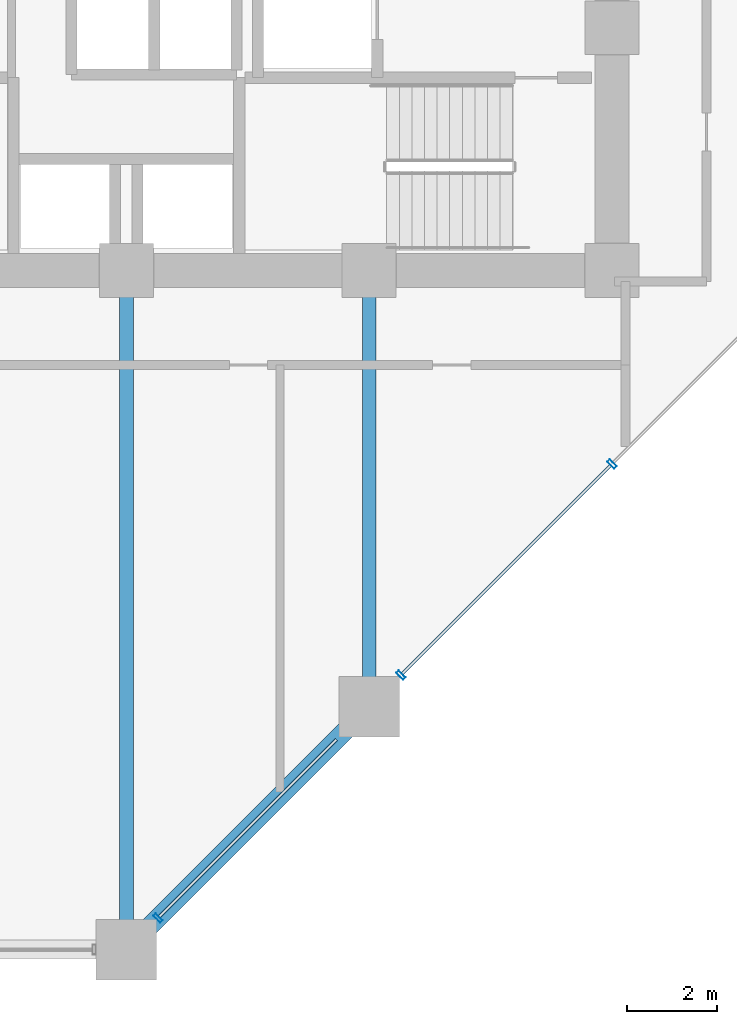
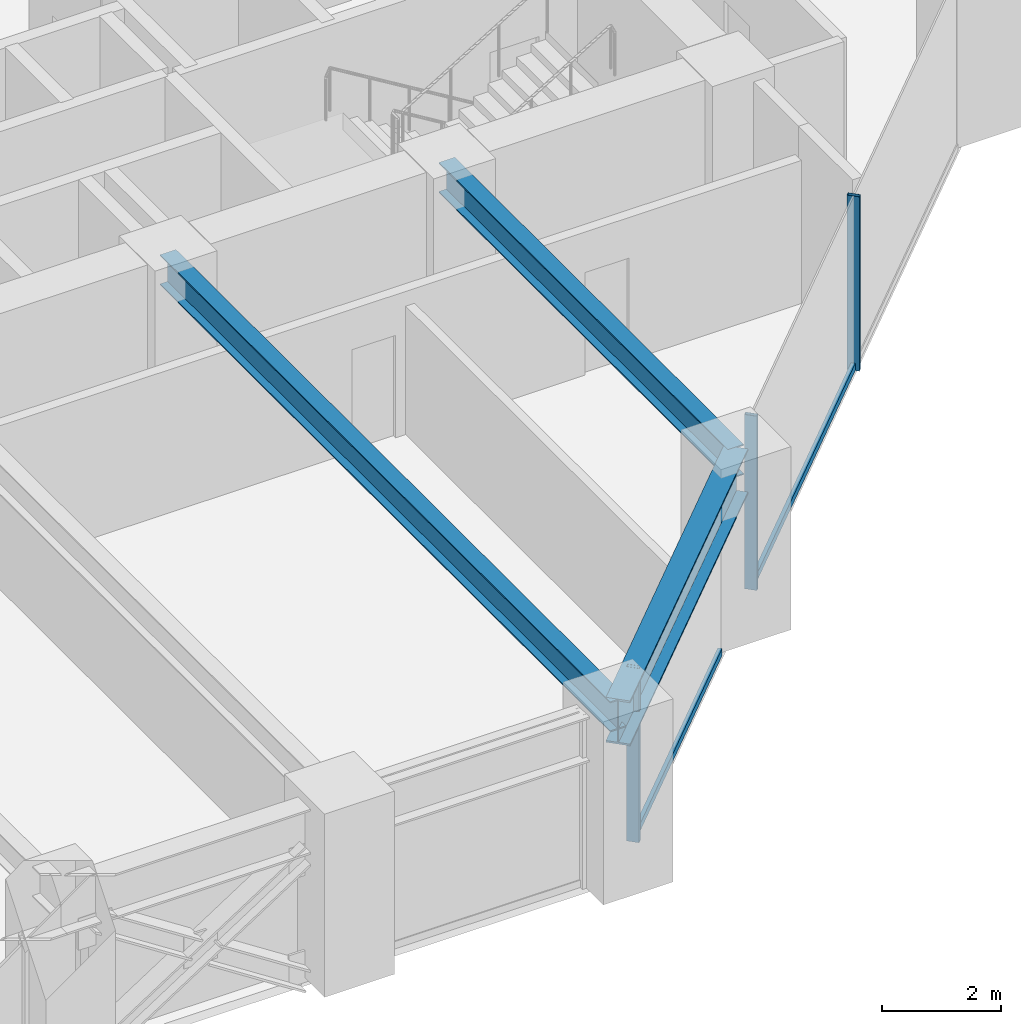
# One storey, part 7 of 24: 5 members, 3 beams, 1 element without a shape of its own.
"""IFC4 building model written with IfcOpenShell, lengths in metres."""

import ifcopenshell
import ifcopenshell.guid

model = None  # the IFC model being written
_history = None  # IfcOwnerHistory: only IFC2X3 demands one
_inside = {}  # id of a spatial element -> (the spatial element, [elements in it])
_under = {}  # id of a project, library or spatial element -> (it, [spatial elements below it])
_declared = {}  # id of a project -> (the project, [libraries it declares])
_typed = {}  # id of a type object -> (the type object, [elements of that type])
_made_of = {}  # id of a material, layer set ... -> (it, [elements and type objects made of it])


def new_model(schema):
    """Start an empty IFC model of exactly this schema.

    Asked for "IFC4X3", IfcOpenShell would pick the latest addendum, in which some entities
    have other attributes; the version numbers below select the first issue.
    IFC2X3 requires an IfcOwnerHistory on every rooted entity: one is made here for all.
    """
    global model, _history
    if schema == "IFC4X3":
        model = ifcopenshell.file(schema_version=(4, 3, 0, 0))
    else:
        model = ifcopenshell.file(schema=schema)
    _inside.clear()
    _under.clear()
    _declared.clear()
    _typed.clear()
    _made_of.clear()
    _history = None
    if model.schema == "IFC2X3":
        org = make("IfcOrganization", Name="unknown")
        user = make(
            "IfcPersonAndOrganization",
            ThePerson=make("IfcPerson", FamilyName="unknown"),
            TheOrganization=org,
        )
        app = make(
            "IfcApplication",
            ApplicationDeveloper=org,
            Version="unknown",
            ApplicationFullName="unknown",
            ApplicationIdentifier="unknown",
        )
        _history = make(
            "IfcOwnerHistory",
            OwningUser=user,
            OwningApplication=app,
            ChangeAction="ADDED",
            CreationDate=0,
        )
    return model


def make(cls, **values):
    """One entity of the class cls with the attributes given. An attribute that is None is left unset."""
    return model.create_entity(
        cls, **{name: value for name, value in values.items() if value is not None}
    )


def rooted(cls, **values):
    """An entity with a GlobalId (a new one), such as an element, a storey or a relation."""
    return make(cls, GlobalId=ifcopenshell.guid.new(), OwnerHistory=_history, **values)


def si_unit(unit_type, name, prefix=None):
    """IfcSIUnit, for example si_unit("LENGTHUNIT", "METRE", prefix="MILLI")."""
    return make("IfcSIUnit", UnitType=unit_type, Prefix=prefix, Name=name)


def assignment(units):
    """IfcUnitAssignment: the units of a project."""
    return None if units is None else make("IfcUnitAssignment", Units=units)


def point(xyz):
    """IfcCartesianPoint."""
    return None if xyz is None else make("IfcCartesianPoint", Coordinates=xyz)


def direction(xyz):
    """IfcDirection."""
    return None if xyz is None else make("IfcDirection", DirectionRatios=xyz)


def frame(location, z_axis=None, x_axis=None):
    """IfcAxis2Placement3D, a coordinate frame: its origin and axes. An axis left out is left unset."""
    return make(
        "IfcAxis2Placement3D",
        Location=point(location),
        Axis=direction(z_axis),
        RefDirection=direction(x_axis),
    )


def frame_2d(location, x_axis=None):
    """IfcAxis2Placement2D, a coordinate frame in the plane: its origin and x axis."""
    return make(
        "IfcAxis2Placement2D", Location=point(location), RefDirection=direction(x_axis)
    )


def origin():
    """The frame at (0, 0, 0) with its axes left unset."""
    return frame((0.0, 0.0, 0.0))


def origin_2d():
    """The frame at (0, 0) in the plane with its x axis left unset."""
    return frame_2d((0.0, 0.0))


def place(relative_to, where):
    """IfcLocalPlacement: puts the frame where relative to a parent placement (None: the world)."""
    return make(
        "IfcLocalPlacement", PlacementRelTo=relative_to, RelativePlacement=where
    )


def context(
    kind, dimensions, precision=None, world=None, true_north=None, identifier=None
):
    """IfcGeometricRepresentationContext, for example the 3D "Model" context."""
    return make(
        "IfcGeometricRepresentationContext",
        ContextIdentifier=identifier,
        ContextType=kind,
        CoordinateSpaceDimension=dimensions,
        Precision=precision,
        WorldCoordinateSystem=world,
        TrueNorth=true_north,
    )


def subcontext(parent, identifier, kind, view, scale=None):
    """IfcGeometricRepresentationSubContext, for example "Body" below "Model"."""
    return make(
        "IfcGeometricRepresentationSubContext",
        ContextIdentifier=identifier,
        ContextType=kind,
        ParentContext=parent,
        TargetScale=scale,
        TargetView=view,
    )


def project(units=None, contexts=None):
    """IfcProject with its units and contexts."""
    return rooted(
        "IfcProject",
        Name="project",
        RepresentationContexts=contexts,
        UnitsInContext=assignment(units),
    )


def spatial(cls, under=None, at=None, **own):
    """A site, building, storey or space (cls), placed at a placement, below another one or the project."""
    s = rooted(cls, ObjectPlacement=at, **own)
    if under is not None:
        _under.setdefault(under.id(), (under, []))[1].append(s)
    return s


def profile(cls, at=None, kind="AREA", **sizes):
    """A parametric profile (cls). Its sizes go by their IFC names, for example OverallWidth=200.0."""
    return make(cls, ProfileType=kind, Position=at, **sizes)


def hollow_rectangle(**sizes):
    """IfcRectangleHollowProfileDef."""
    return profile("IfcRectangleHollowProfileDef", **sizes)


def i_section(**sizes):
    """IfcIShapeProfileDef."""
    return profile("IfcIShapeProfileDef", **sizes)


def extrude(swept, where, along, depth):
    """IfcExtrudedAreaSolid: the profile swept, set in the frame where, extruded along a direction by depth."""
    return make(
        "IfcExtrudedAreaSolid",
        SweptArea=swept,
        Position=where,
        ExtrudedDirection=direction(along),
        Depth=depth,
    )


def shape(context_of_items, identifier, shape_type, items):
    """IfcShapeRepresentation: the items that make up one representation, for example the "Body"."""
    return make(
        "IfcShapeRepresentation",
        ContextOfItems=context_of_items,
        RepresentationIdentifier=identifier,
        RepresentationType=shape_type,
        Items=items,
    )


def material(Name=None, Category=None):
    """IfcMaterial."""
    return make("IfcMaterial", Name=Name, Category=Category)


def layer(
    of_material, thickness, ventilated=None, Name=None, Category=None, Priority=None
):
    """IfcMaterialLayer: one layer of a wall or slab, of a material (None: an air gap)."""
    return make(
        "IfcMaterialLayer",
        Material=of_material,
        LayerThickness=thickness,
        IsVentilated=ventilated,
        Name=Name,
        Category=Category,
        Priority=Priority,
    )


def layer_set(layers, Name=None):
    """IfcMaterialLayerSet."""
    return make("IfcMaterialLayerSet", MaterialLayers=layers, LayerSetName=Name)


def material_profile(
    of_material, cross_section, Name=None, Category=None, Priority=None
):
    """IfcMaterialProfile: a cross section and its material."""
    return make(
        "IfcMaterialProfile",
        Name=Name,
        Material=of_material,
        Profile=cross_section,
        Priority=Priority,
        Category=Category,
    )


def profile_set(profiles, Name=None, composite=None):
    """IfcMaterialProfileSet."""
    return make(
        "IfcMaterialProfileSet",
        Name=Name,
        MaterialProfiles=profiles,
        CompositeProfile=composite,
    )


def made_of(thing, what):
    """Note that an element or type object is made of a material, layer set ...; save() writes the relation."""
    if what is not None:
        _made_of.setdefault(what.id(), (what, []))[1].append(thing)
    return thing


def type_object(cls, material=None, **own):
    """A type object (cls), such as IfcWallType, which elements share."""
    return made_of(rooted(cls, **own), material)


def element(
    cls,
    number,
    at=None,
    inside=None,
    cuts=None,
    type_object=None,
    material=None,
    context=None,
    identifier="Body",
    shape_type=None,
    held_by="IfcProductDefinitionShape",
    body=None,
    shapes=None,
    **own,
):
    """One element of the class cls, such as IfcWall. Its Tag is "e" and its number.

    at: its placement. inside: the storey or other place that contains it. cuts: it is an
    opening in that element (IfcRelVoidsElement). A single representation is given by context,
    identifier, shape_type and body (its items); several are given by shapes. held_by: the class
    of the entity that holds the representations. save() writes the other relations.
    """
    e = rooted(cls, Tag="e%d" % number, ObjectPlacement=at, **own)
    if body is not None:
        shapes = [shape(context, identifier, shape_type, body)]
    if shapes is not None:
        e.Representation = make(held_by, Representations=shapes)
    if inside is not None:
        _inside.setdefault(inside.id(), (inside, []))[1].append(e)
    if cuts is not None:
        rooted(
            "IfcRelVoidsElement", RelatingBuildingElement=cuts, RelatedOpeningElement=e
        )
    if type_object is not None:
        _typed.setdefault(type_object.id(), (type_object, []))[1].append(e)
    return made_of(e, material)


def aggregate(whole, parts):
    """IfcRelAggregates: a whole, such as a stair, and the parts it consists of."""
    return rooted("IfcRelAggregates", RelatingObject=whole, RelatedObjects=parts)


def save(model, path):
    """Write the relations noted so far, then the file.

    IfcRelAggregates (storeys below a building ...), IfcRelContainedInSpatialStructure (elements
    in a storey), IfcRelDefinesByType, IfcRelAssociatesMaterial and IfcRelDeclares: one each for
    every whole, place, type object, material and project.
    """
    for whole, parts in _under.values():
        aggregate(whole, parts)
    for where, things in _inside.values():
        rooted(
            "IfcRelContainedInSpatialStructure",
            RelatedElements=things,
            RelatingStructure=where,
        )
    for kind, things in _typed.values():
        rooted("IfcRelDefinesByType", RelatedObjects=things, RelatingType=kind)
    for what, things in _made_of.values():
        rooted("IfcRelAssociatesMaterial", RelatedObjects=things, RelatingMaterial=what)
    for by, libraries in _declared.values():
        rooted("IfcRelDeclares", RelatingContext=by, RelatedDefinitions=libraries)
    model.write(path)


model = new_model("IFC4")

# Units and contexts
model_context = context("Model", 3, precision=1e-05, world=origin(), true_north=direction((0.0, 1.0)))
body_context = subcontext(model_context, "Body", "Model", "MODEL_VIEW")
ifc_project = project(units=[si_unit("LENGTHUNIT", "METRE"), si_unit("AREAUNIT", "SQUARE_METRE"), si_unit("VOLUMEUNIT", "CUBIC_METRE"), si_unit("PLANEANGLEUNIT", "RADIAN"), si_unit("MASSUNIT", "GRAM", prefix="KILO")], contexts=[model_context])

# Site, building, storey
site_placement = place(None, origin())
site = spatial("IfcSite", under=ifc_project, at=site_placement, CompositionType="ELEMENT")
building_placement = place(site_placement, origin())
building = spatial("IfcBuilding", under=site, at=building_placement, Name="Surkhivell Harbour Commons", CompositionType="ELEMENT")
storey_placement = place(building_placement, frame((0.0, 0.0, 26.25)))
storey = spatial("IfcBuildingStorey", under=building, at=storey_placement, Name="L06", CompositionType="ELEMENT", Elevation=26.25)

# Beams
ifc_material_1 = material(Name="Steel S355", Category="steel")
ifc_material_profile_1 = material_profile(ifc_material_1, i_section(OverallWidth=0.306884765625, OverallDepth=0.6201171875, WebThickness=0.01416015625, FlangeThickness=0.023681640625, at=origin_2d()), Name="UB610x305x179")
ifc_profile_set_1 = profile_set([ifc_material_profile_1], Name="Steel S355")
beam_type_1 = type_object("IfcBeamType", Name="BM-GRD-610A", PredefinedType="BEAM", material=ifc_profile_set_1)
beam_1_placement = place(storey_placement, frame((0.0, -25.89990234375, 3.260009765625), z_axis=(0.0, 1.0, 0.0), x_axis=(-1.0, 0.0, 0.0)))
element("IfcBeam", 1, at=beam_1_placement, inside=storey, type_object=beam_type_1, Name="L06 Floor Girder (0.0,-25.9)", PredefinedType="BEAM", context=body_context, shape_type="SweptSolid", body=[
    extrude(i_section(OverallWidth=0.306884765625, OverallDepth=0.6201171875, WebThickness=0.01416015625, FlangeThickness=0.023681640625, at=origin_2d()), origin(), (0.0, 0.0, 1.0), 15.099853515625),
])
beam_2_placement = place(storey_placement, frame((5.39990234375, -20.5, 3.260009765625), z_axis=(0.0, 1.0, 0.0), x_axis=(-1.0, 0.0, 0.0)))
element("IfcBeam", 2, at=beam_2_placement, inside=storey, type_object=beam_type_1, Name="L06 Floor Girder (5.4,-20.5)", PredefinedType="BEAM", context=body_context, shape_type="SweptSolid", body=[
    extrude(i_section(OverallWidth=0.306884765625, OverallDepth=0.6201171875, WebThickness=0.01416015625, FlangeThickness=0.023681640625, at=origin_2d()), origin(), (0.0, 0.0, 1.0), 9.699951171875),
])
ifc_material_2 = material(Name="Steel S460", Category="steel")
ifc_material_profile_2 = material_profile(ifc_material_2, i_section(OverallWidth=0.419921875, OverallDepth=0.9208984375, WebThickness=0.021484375, FlangeThickness=0.03662109375, at=origin_2d()), Name="UB914x419x388")
ifc_profile_set_2 = profile_set([ifc_material_profile_2], Name="Steel S460")
beam_type_2 = type_object("IfcBeamType", Name="BM-SPN-914A", PredefinedType="SPANDREL", material=ifc_profile_set_2)
beam_3_placement = place(storey_placement, frame((0.0, -25.89990234375, 3.109619140625), z_axis=(0.707106781187, 0.707106781187, 0.0), x_axis=(-0.707106781187, 0.707106781187, 0.0)))
element("IfcBeam", 3, at=beam_3_placement, inside=storey, type_object=beam_type_2, Name="L06 Tube Spandrel (-0.0,-25.9)", PredefinedType="SPANDREL", context=body_context, shape_type="SweptSolid", body=[
    extrude(i_section(OverallWidth=0.419921875, OverallDepth=0.9208984375, WebThickness=0.021484375, FlangeThickness=0.03662109375, at=origin_2d()), origin(), (0.0, 0.0, 1.0), 7.63671875),
])

# Curtain wall, members
ifc_material_3 = material(Name="Anodised pale-metal aluminium and insulated glazing", Category="aluminium")
ifc_layer = layer(ifc_material_3, 0.219970703125)
ifc_layer_set = layer_set([ifc_layer], Name="Anodised pale-metal aluminium and insulated glazing")
curtain_wall_type = type_object("IfcCurtainWallType", Name="CW-SYS-Z1", PredefinedType="NOTDEFINED", material=ifc_layer_set)
curtain_wall_placement = place(storey_placement, origin())
curtain_wall = element("IfcCurtainWall", 4, at=curtain_wall_placement, inside=storey, type_object=curtain_wall_type, Name="L06 Curtain Wall CW-L06-E01", PredefinedType="NOTDEFINED")
ifc_material_4 = material(Name="Anodised pale-metal aluminium alloy 6063-T6", Category="aluminium")
ifc_material_profile_3 = material_profile(ifc_material_4, hollow_rectangle(XDim=0.074951171875, YDim=0.219970703125, WallThickness=0.00390625, at=origin_2d()), Name="ALU-MULL-75x220")
ifc_profile_set_3 = profile_set([ifc_material_profile_3], Name="Anodised pale-metal aluminium alloy 6063-T6")
member_type_1 = type_object("IfcMemberType", Name="CWM-220", PredefinedType="MULLION", material=ifc_profile_set_3)
member_1_placement = place(storey_placement, frame((0.703369140625, -25.19677734375, 0.0), z_axis=(0.0, 0.0, 1.0), x_axis=(0.707106781187, 0.707106781187, 0.0)))
member_1 = element("IfcMember", 5, at=member_1_placement, type_object=member_type_1, Name="CW-Z1 mullion 1", PredefinedType="MULLION", context=body_context, shape_type="SweptSolid", body=[
    extrude(hollow_rectangle(XDim=0.074951171875, YDim=0.219970703125, WallThickness=0.00390625, at=origin_2d()), origin(), (0.0, 0.0, 1.0), 3.570068359375),
])
member_2_placement = place(storey_placement, frame((6.103271484375, -19.796630859375, 0.0), z_axis=(0.0, 0.0, 1.0), x_axis=(0.707106781187, 0.707106781187, 0.0)))
member_2 = element("IfcMember", 6, at=member_2_placement, type_object=member_type_1, Name="CW-Z1 mullion 2", PredefinedType="MULLION", context=body_context, shape_type="SweptSolid", body=[
    extrude(hollow_rectangle(XDim=0.074951171875, YDim=0.219970703125, WallThickness=0.00390625, at=origin_2d()), origin(), (0.0, 0.0, 1.0), 3.570068359375),
])
member_3_placement = place(storey_placement, frame((10.800048828125, -15.10009765625, 0.0), z_axis=(0.0, 0.0, 1.0), x_axis=(0.707106781187, 0.707106781187, 0.0)))
member_3 = element("IfcMember", 7, at=member_3_placement, type_object=member_type_1, Name="CW-Z1 mullion 3", PredefinedType="MULLION", context=body_context, shape_type="SweptSolid", body=[
    extrude(hollow_rectangle(XDim=0.074951171875, YDim=0.219970703125, WallThickness=0.00390625, at=origin_2d()), origin(), (0.0, 0.0, 1.0), 3.570068359375),
])
ifc_material_profile_4 = material_profile(ifc_material_4, hollow_rectangle(XDim=0.074951171875, YDim=0.14990234375, WallThickness=0.00341796875, at=origin_2d()), Name="ALU-TRAN-75x150")
ifc_profile_set_4 = profile_set([ifc_material_profile_4], Name="Anodised pale-metal aluminium alloy 6063-T6")
member_type_2 = type_object("IfcMemberType", Name="CWT-150", PredefinedType="USERDEFINED", material=ifc_profile_set_4)
member_4_placement = place(storey_placement, frame((0.729736328125, -25.170166015625, 0.074951171875), z_axis=(0.707106781187, 0.707106781187, 0.0), x_axis=(-0.707106781187, 0.707106781187, 0.0)))
member_4 = element("IfcMember", 8, at=member_4_placement, type_object=member_type_2, Name="CW-Z1 transom 1.1", ObjectType="TRANSOM", PredefinedType="USERDEFINED", context=body_context, shape_type="SweptSolid", body=[
    extrude(hollow_rectangle(XDim=0.074951171875, YDim=0.14990234375, WallThickness=0.00341796875, at=origin_2d()), origin(), (0.0, 0.0, 1.0), 5.572509765625),
])
member_5_placement = place(storey_placement, frame((6.1298828125, -19.770263671875, 0.074951171875), z_axis=(0.707088192925, 0.70712536896, 0.0), x_axis=(-0.70712536896, 0.707088192925, 0.0)))
member_5 = element("IfcMember", 9, at=member_5_placement, type_object=member_type_2, Name="CW-Z1 transom 2.1", ObjectType="TRANSOM", PredefinedType="USERDEFINED", context=body_context, shape_type="SweptSolid", body=[
    extrude(hollow_rectangle(XDim=0.074951171875, YDim=0.14990234375, WallThickness=0.00341796875, at=origin_2d()), origin(), (0.0, 0.0, 1.0), 6.567138671875),
])
aggregate(curtain_wall, [member_1, member_4, member_2, member_3, member_5])

save(model, "model.ifc")
